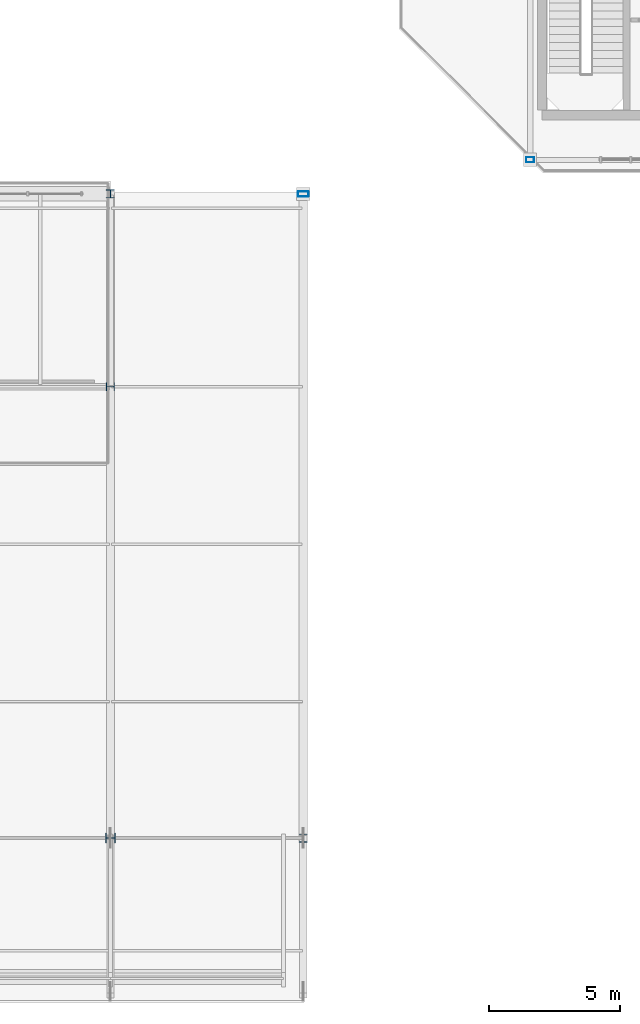
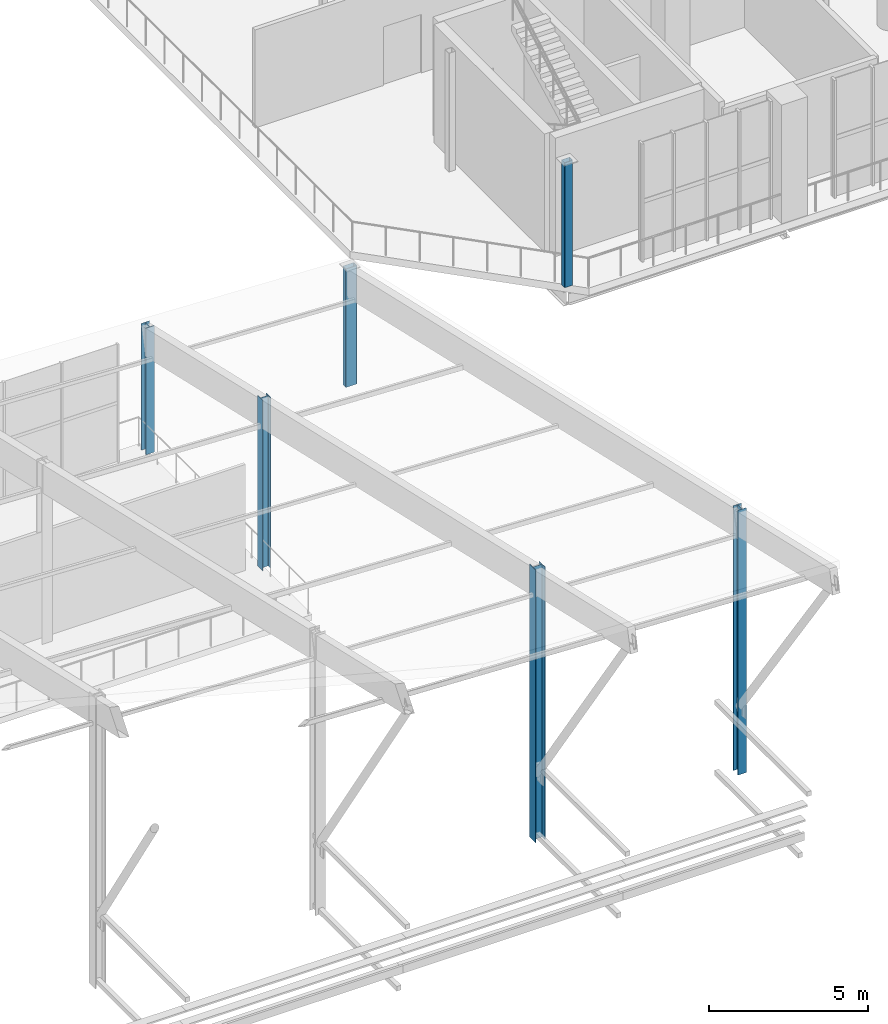
# One storey, part 2 of 51: 6 columns.
"""IFC4 building model written with IfcOpenShell, lengths in metres."""

from ifc_helpers import new_model, si_unit, direction, frame, origin, origin_2d, place, context, subcontext, project, spatial, hollow_rectangle, i_section, extrude, material, material_profile, profile_set, type_object, element, save


model = new_model("IFC4")

# Units and contexts
model_context = context("Model", 3, precision=1e-05, world=origin(), true_north=direction((0.0, 1.0)))
body_context = subcontext(model_context, "Body", "Model", "MODEL_VIEW")
ifc_project = project(units=[si_unit("LENGTHUNIT", "METRE"), si_unit("AREAUNIT", "SQUARE_METRE"), si_unit("VOLUMEUNIT", "CUBIC_METRE"), si_unit("PLANEANGLEUNIT", "RADIAN"), si_unit("MASSUNIT", "GRAM", prefix="KILO")], contexts=[model_context])

# Site, building, storey
site_placement = place(None, origin())
site = spatial("IfcSite", under=ifc_project, at=site_placement, CompositionType="ELEMENT")
building_placement = place(site_placement, origin())
building = spatial("IfcBuilding", under=site, at=building_placement, Name="Brisemont Oceanarium", CompositionType="ELEMENT")
storey_placement = place(building_placement, frame((0.0, 0.0, 15.0)))
storey = spatial("IfcBuildingStorey", under=building, at=storey_placement, Name="L03", CompositionType="ELEMENT", Elevation=15.0)

# Columns
ifc_material_1 = material(Name="Structural Steel ASTM A500 Gr.C", Category="steel")
ifc_material_profile_1 = material_profile(ifc_material_1, hollow_rectangle(XDim=0.202880859375, YDim=0.304931640625, WallThickness=0.0087890625, InnerFilletRadius=0.009033203125, OuterFilletRadius=0.01806640625, at=origin_2d()), Name="HSS12X8X3/8")
ifc_profile_set_1 = profile_set([ifc_material_profile_1], Name="Structural Steel ASTM A500 Gr.C")
column_type_1 = type_object("IfcColumnType", Name="COL-HSS12X8", PredefinedType="COLUMN", material=ifc_profile_set_1)
column_1_placement = place(storey_placement, frame((64.0, 32.64990234375, 0.0), z_axis=(0.0, 0.0, 1.0), x_axis=(0.0, 1.0, 0.0)))
element("IfcColumn", 1, at=column_1_placement, inside=storey, type_object=column_type_1, Name="V1 L03 column (1,0)", PredefinedType="COLUMN", context=body_context, shape_type="SweptSolid", body=[
    extrude(hollow_rectangle(XDim=0.202880859375, YDim=0.304931640625, WallThickness=0.0087890625, InnerFilletRadius=0.009033203125, OuterFilletRadius=0.01806640625, at=origin_2d()), origin(), (0.0, 0.0, 1.0), 4.800048828125),
])
ifc_material_2 = material(Name="Structural Steel ASTM A500 Gr.C", Category="steel")
ifc_material_profile_2 = material_profile(ifc_material_2, hollow_rectangle(XDim=0.202880859375, YDim=0.406005859375, WallThickness=0.01171875, InnerFilletRadius=0.01220703125, OuterFilletRadius=0.02392578125, at=origin_2d()), Name="HSS16X8X1/2")
ifc_profile_set_2 = profile_set([ifc_material_profile_2], Name="Structural Steel ASTM A500 Gr.C")
column_type_2 = type_object("IfcColumnType", Name="COL-HSS16X8", PredefinedType="COLUMN", material=ifc_profile_set_2)
column_2_placement = place(storey_placement, frame((55.35009765625, 31.35009765625, 0.0), z_axis=(0.0, 0.0, 1.0), x_axis=(0.0, 1.0, 0.0)))
element("IfcColumn", 2, at=column_2_placement, inside=storey, type_object=column_type_2, Name="V2 L03 column (6,3)", PredefinedType="COLUMN", context=body_context, shape_type="SweptSolid", body=[
    extrude(hollow_rectangle(XDim=0.202880859375, YDim=0.406005859375, WallThickness=0.01171875, InnerFilletRadius=0.01220703125, OuterFilletRadius=0.02392578125, at=origin_2d()), origin(), (0.0, 0.0, 1.0), 4.5537109375),
])
ifc_material_3 = material(Name="Structural Steel ASTM A992 Gr.50", Category="steel")
ifc_material_profile_3 = material_profile(ifc_material_3, i_section(OverallWidth=0.304931640625, OverallDepth=0.306884765625, WebThickness=0.010009765625, FlangeThickness=0.015380859375, FilletRadius=0.012939453125, at=origin_2d()), Name="W12X65")
ifc_profile_set_3 = profile_set([ifc_material_profile_3], Name="Structural Steel ASTM A992 Gr.50")
column_type_3 = type_object("IfcColumnType", Name="COL-W12X65", PredefinedType="COLUMN", material=ifc_profile_set_3)
column_3_placement = place(storey_placement, frame((55.35009765625, 6.800048828125, 0.0), z_axis=(0.0, 0.0, 1.0), x_axis=(1.0, 0.0, 0.0)))
element("IfcColumn", 3, at=column_3_placement, inside=storey, type_object=column_type_3, Name="V2 L03 column (6,0)", PredefinedType="COLUMN", context=body_context, shape_type="SweptSolid", body=[
    extrude(i_section(OverallWidth=0.304931640625, OverallDepth=0.306884765625, WebThickness=0.010009765625, FlangeThickness=0.015380859375, FilletRadius=0.012939453125, at=origin_2d()), origin(), (0.0, 0.0, 1.0), 10.173095703125),
])
ifc_material_4 = material(Name="Structural Steel ASTM A992 Gr.50", Category="steel")
ifc_material_profile_4 = material_profile(ifc_material_4, i_section(OverallWidth=0.305908203125, OverallDepth=0.31103515625, WebThickness=0.010986328125, FlangeThickness=0.01708984375, FilletRadius=0.012939453125, at=origin_2d()), Name="W12X72")
ifc_profile_set_4 = profile_set([ifc_material_profile_4], Name="Structural Steel ASTM A992 Gr.50")
column_type_4 = type_object("IfcColumnType", Name="COL-W12X72", PredefinedType="COLUMN", material=ifc_profile_set_4)
column_4_placement = place(storey_placement, frame((48.0, 31.35009765625, 0.0), z_axis=(0.0, 0.0, 1.0), x_axis=(1.0, 0.0, 0.0)))
element("IfcColumn", 4, at=column_4_placement, inside=storey, type_object=column_type_4, Name="V2 L03 column (5,3)", PredefinedType="COLUMN", context=body_context, shape_type="SweptSolid", body=[
    extrude(i_section(OverallWidth=0.305908203125, OverallDepth=0.31103515625, WebThickness=0.010986328125, FlangeThickness=0.01708984375, FilletRadius=0.012939453125, at=origin_2d()), origin(), (0.0, 0.0, 1.0), 4.86767578125),
])
ifc_material_5 = material(Name="Structural Steel ASTM A992 Gr.50", Category="steel")
ifc_material_profile_5 = material_profile(ifc_material_5, i_section(OverallWidth=0.306884765625, OverallDepth=0.31494140625, WebThickness=0.011962890625, FlangeThickness=0.018798828125, FilletRadius=0.012939453125, at=origin_2d()), Name="W12X79")
ifc_profile_set_5 = profile_set([ifc_material_profile_5], Name="Structural Steel ASTM A992 Gr.50")
column_type_5 = type_object("IfcColumnType", Name="COL-W12X79", PredefinedType="COLUMN", material=ifc_profile_set_5)
column_5_placement = place(storey_placement, frame((48.0, 24.0, 0.0), z_axis=(0.0, 0.0, 1.0), x_axis=(0.0, 1.0, 0.0)))
element("IfcColumn", 5, at=column_5_placement, inside=storey, type_object=column_type_5, Name="V2 L03 column (5,2)", PredefinedType="COLUMN", context=body_context, shape_type="SweptSolid", body=[
    extrude(i_section(OverallWidth=0.306884765625, OverallDepth=0.31494140625, WebThickness=0.011962890625, FlangeThickness=0.018798828125, FilletRadius=0.012939453125, at=origin_2d()), origin(), (0.0, 0.0, 1.0), 6.550048828125),
])
ifc_material_6 = material(Name="Structural Steel ASTM A992 Gr.50", Category="steel")
ifc_material_profile_6 = material_profile(ifc_material_6, i_section(OverallWidth=0.367919921875, OverallDepth=0.35595703125, WebThickness=0.01123046875, FlangeThickness=0.01806640625, FilletRadius=0.014892578125, at=origin_2d()), Name="W14X90")
ifc_profile_set_6 = profile_set([ifc_material_profile_6], Name="Structural Steel ASTM A992 Gr.50")
column_type_6 = type_object("IfcColumnType", Name="COL-W14X90", PredefinedType="COLUMN", material=ifc_profile_set_6)
column_6_placement = place(storey_placement, frame((48.0, 6.800048828125, 0.0), z_axis=(0.0, 0.0, 1.0), x_axis=(0.0, 1.0, 0.0)))
element("IfcColumn", 6, at=column_6_placement, inside=storey, type_object=column_type_6, Name="V2 L03 column (5,0)", PredefinedType="COLUMN", context=body_context, shape_type="SweptSolid", body=[
    extrude(i_section(OverallWidth=0.367919921875, OverallDepth=0.35595703125, WebThickness=0.01123046875, FlangeThickness=0.01806640625, FilletRadius=0.014892578125, at=origin_2d()), origin(), (0.0, 0.0, 1.0), 10.487060546875),
])

save(model, "model.ifc")
